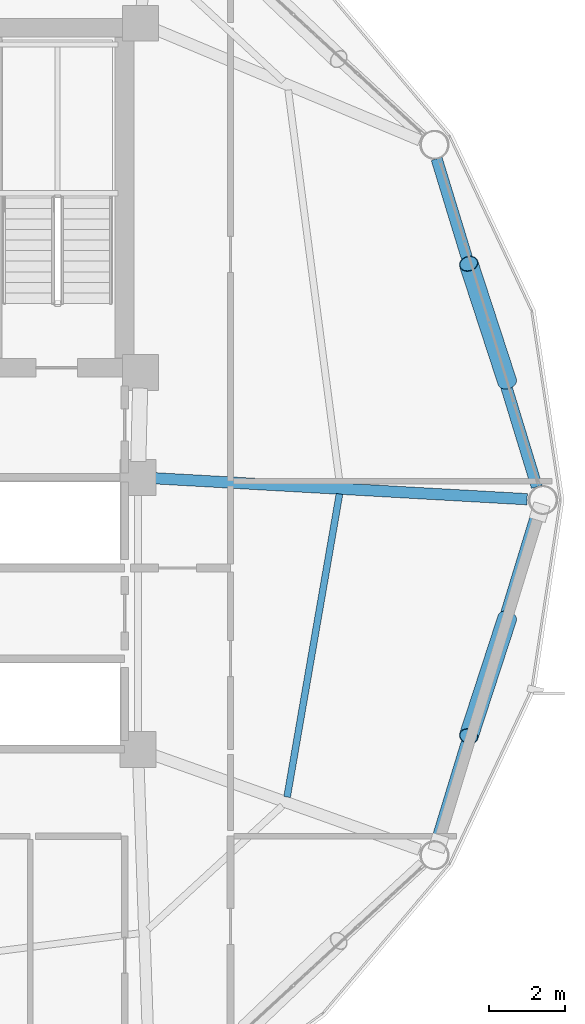
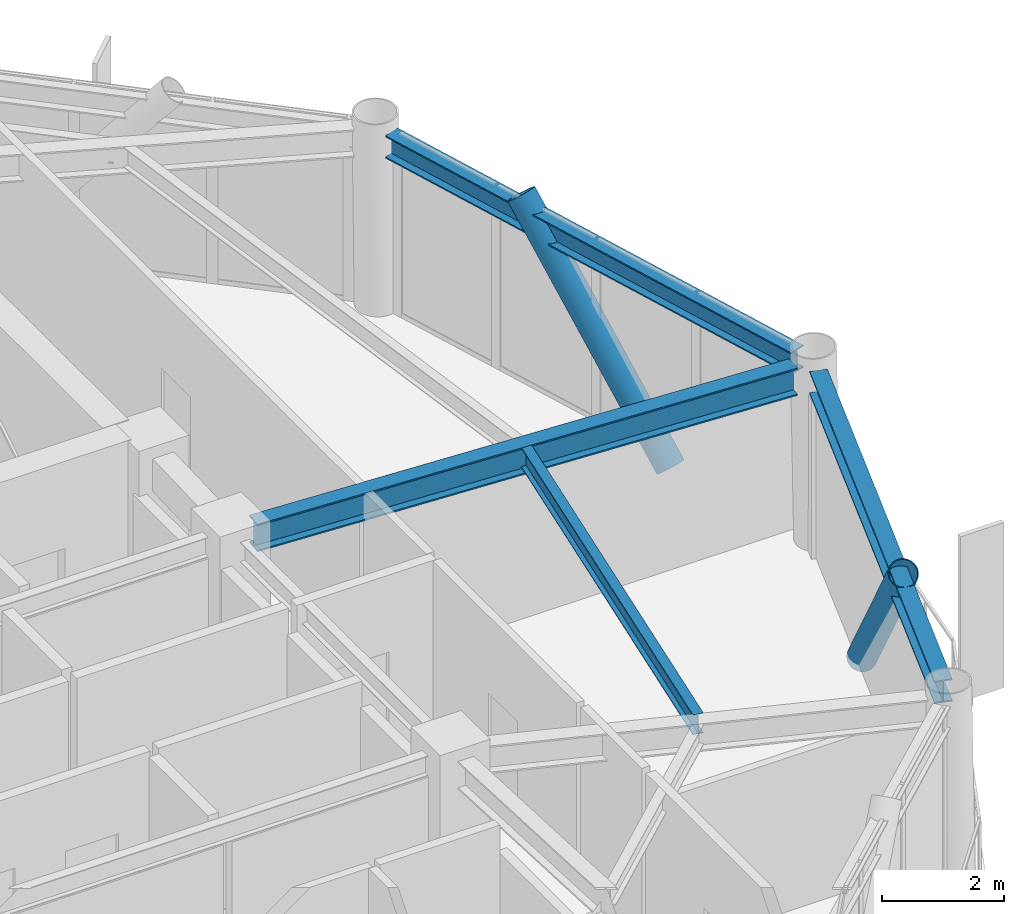
# One storey, part 14 of 24: 4 beams, 2 members.
"""IFC4 building model written with IfcOpenShell, lengths in metres."""

from ifc_helpers import new_model, si_unit, direction, frame, origin, origin_2d, place, context, subcontext, project, spatial, hollow_circle, i_section, extrude, material, material_profile, profile_set, type_object, element, save


model = new_model("IFC4")

# Units and contexts
model_context = context("Model", 3, precision=1e-05, world=origin(), true_north=direction((0.0, 1.0)))
body_context = subcontext(model_context, "Body", "Model", "MODEL_VIEW")
ifc_project = project(units=[si_unit("LENGTHUNIT", "METRE"), si_unit("AREAUNIT", "SQUARE_METRE"), si_unit("VOLUMEUNIT", "CUBIC_METRE"), si_unit("PLANEANGLEUNIT", "RADIAN"), si_unit("MASSUNIT", "GRAM", prefix="KILO")], contexts=[model_context])

# Site, building, storey
site_placement = place(None, origin())
site = spatial("IfcSite", under=ifc_project, at=site_placement, CompositionType="ELEMENT")
building_placement = place(site_placement, origin())
building = spatial("IfcBuilding", under=site, at=building_placement, Name="Varnakorn Sky Granary", CompositionType="ELEMENT")
storey_placement = place(building_placement, frame((0.0, 0.0, 161.699951171875)))
storey = spatial("IfcBuildingStorey", under=building, at=storey_placement, Name="L40", CompositionType="ELEMENT", Elevation=161.699951171875)

# Beams
ifc_material_1 = material(Name="Steel S355JR", Category="steel")
ifc_material_profile_1 = material_profile(ifc_material_1, i_section(OverallWidth=0.300048828125, OverallDepth=0.550048828125, WebThickness=0.014892578125, FlangeThickness=0.029052734375, at=origin_2d()), Name="HE 550 B")
ifc_profile_set_1 = profile_set([ifc_material_profile_1], Name="Steel S355JR")
beam_type_1 = type_object("IfcBeamType", Name="BM-RAD-Z3", PredefinedType="BEAM", material=ifc_profile_set_1)
beam_1_placement = place(storey_placement, frame((8.769287109375, 0.576416015625, 3.364990234375), z_axis=(0.998421557513, -0.056163987511, 0.0), x_axis=(0.056163987511, 0.998421557513, 0.0)))
element("IfcBeam", 1, at=beam_1_placement, inside=storey, type_object=beam_type_1, Name="Radial Floor Girder RG01 L40", PredefinedType="BEAM", context=body_context, shape_type="SweptSolid", body=[
    extrude(i_section(OverallWidth=0.300048828125, OverallDepth=0.550048828125, WebThickness=0.014892578125, FlangeThickness=0.029052734375, at=origin_2d()), origin(), (0.0, 0.0, 1.0), 9.89794921875),
])
ifc_material_profile_2 = material_profile(ifc_material_1, i_section(OverallWidth=0.179931640625, OverallDepth=0.39990234375, WebThickness=0.008544921875, FlangeThickness=0.013427734375, at=origin_2d()), Name="IPE 400")
ifc_profile_set_2 = profile_set([ifc_material_profile_2], Name="Steel S355JR")
beam_type_2 = type_object("IfcBeamType", Name="BM-SEC-Z3", PredefinedType="BEAM", material=ifc_profile_set_2)
beam_2_placement = place(storey_placement, frame((12.2998046875, -7.86181640625, 3.43994140625), z_axis=(0.17033369749, 0.985386437647, 0.0), x_axis=(-0.985386437647, 0.17033369749, 0.0)))
element("IfcBeam", 2, at=beam_2_placement, inside=storey, type_object=beam_type_2, Name="Secondary Floor Chord Beam MSB12 L40", PredefinedType="BEAM", context=body_context, shape_type="SweptSolid", body=[
    extrude(i_section(OverallWidth=0.179931640625, OverallDepth=0.39990234375, WebThickness=0.008544921875, FlangeThickness=0.013427734375, at=origin_2d()), origin(), (0.0, 0.0, 1.0), 8.14111328125),
])
ifc_material_profile_3 = material_profile(ifc_material_1, i_section(OverallWidth=0.300048828125, OverallDepth=0.449951171875, WebThickness=0.013916015625, FlangeThickness=0.02587890625, at=origin_2d()), Name="HE 450 B")
ifc_profile_set_3 = profile_set([ifc_material_profile_3], Name="Steel S355JR")
beam_type_3 = type_object("IfcBeamType", Name="BM-SPD-Z3", PredefinedType="SPANDREL", material=ifc_profile_set_3)
for number, where, z_axis, x_axis, name in (
    (3, (18.91015625, 0.35009765625, 3.4150390625), (-0.292138588412, 0.956375995705, 0.0), (-0.956375995705, -0.292138588412, 0.0), "Perimeter Spandrel Ring Beam RB01 L40"),
    (4, (16.25830078125, -9.031494140625, 3.4150390625), (0.292138588412, 0.956375995705, 0.0), (-0.956375995705, 0.292138588412, 0.0), "Perimeter Spandrel Ring Beam RB12 L40"),
):
    element("IfcBeam", number, at=place(storey_placement, frame(where, z_axis=z_axis, x_axis=x_axis)), inside=storey, type_object=beam_type_3, Name=name, PredefinedType="SPANDREL", context=body_context, shape_type="SweptSolid", body=[
        extrude(i_section(OverallWidth=0.300048828125, OverallDepth=0.449951171875, WebThickness=0.013916015625, FlangeThickness=0.02587890625, at=origin_2d()), origin(), (0.0, 0.0, 1.0), 9.077392578125),
    ])

# Members
ifc_material_2 = material(Name="Steel S460M", Category="steel")
ifc_material_profile_4 = material_profile(ifc_material_2, hollow_circle(Radius=0.25390625, WallThickness=0.01806640625, at=origin_2d()), Name="CHS 508x18")
ifc_profile_set_4 = profile_set([ifc_material_profile_4], Name="Steel S460M")
member_type = type_object("IfcMemberType", Name="MB-DIAG-T2", PredefinedType="BRACE", material=ifc_profile_set_4)
for number, where, z_axis, x_axis, name in (
    (5, (18.124755859375, 3.135009765625, -0.1298828125), (-0.199197127633, 0.610199400568, 0.766796710927), (-0.950629199496, -0.310329059333, 0.0), "Perimeter CHS Diagrid Brace DG01 L40"),
    (6, (18.124755859375, -3.135009765625, -0.1298828125), (-0.199197127633, -0.610199400568, 0.766796710927), (0.950629199496, -0.310329059333, 0.0), "Perimeter CHS Diagrid Brace DG12 L40"),
):
    element("IfcMember", number, at=place(storey_placement, frame(where, z_axis=z_axis, x_axis=x_axis)), inside=storey, type_object=member_type, Name=name, PredefinedType="BRACE", context=body_context, shape_type="SweptSolid", body=[
        extrude(hollow_circle(Radius=0.25390625, WallThickness=0.01806640625, at=origin_2d()), origin(), (0.0, 0.0, 1.0), 5.112060546875),
    ])

save(model, "model.ifc")
